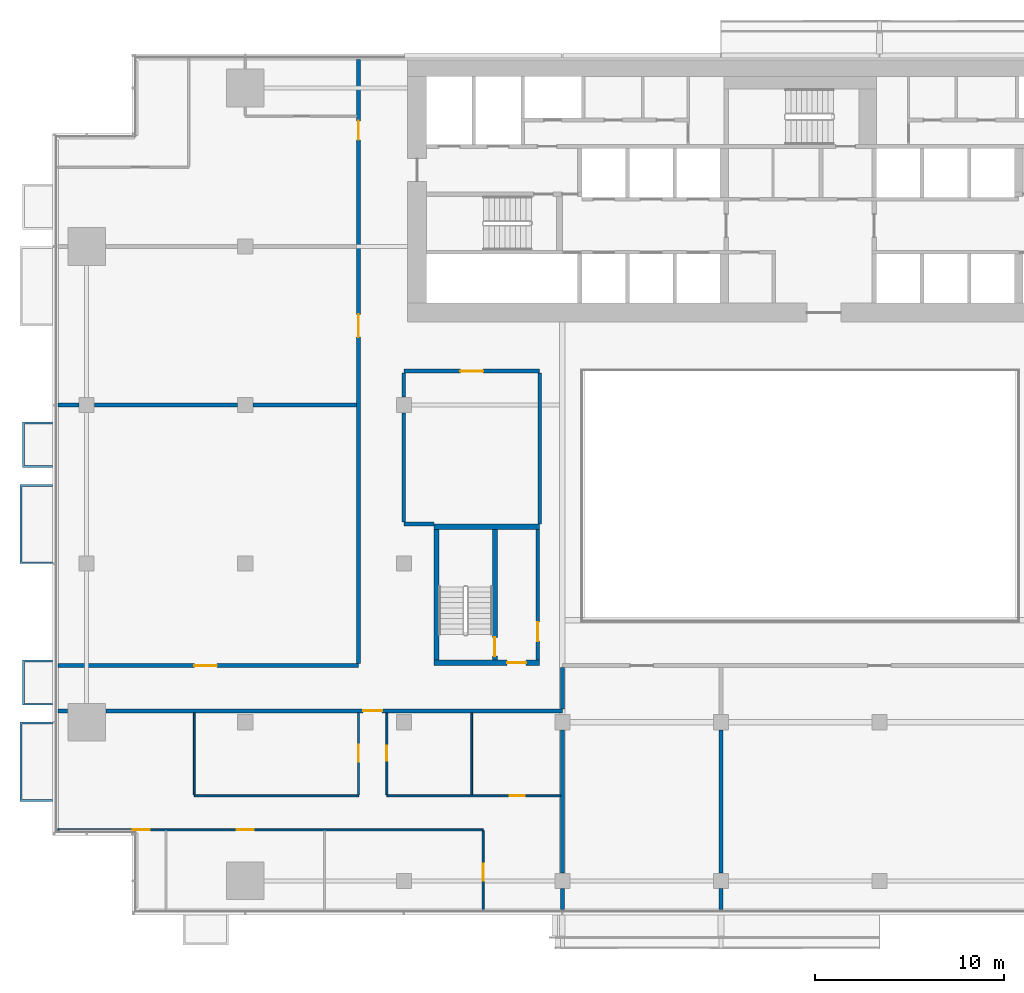
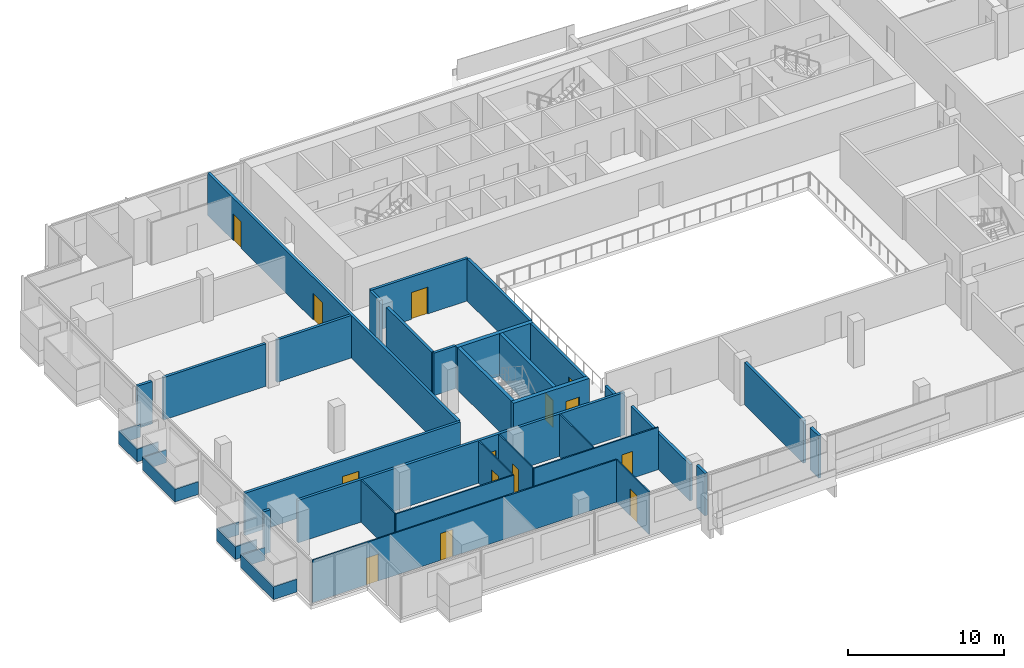
# One storey, part 18 of 26: 34 walls, 14 doors, 14 openings.
"""IFC4 building model written with IfcOpenShell, lengths in metres."""

from ifc_helpers import new_model, si_unit, direction, frame, frame_2d, origin, place, context, subcontext, project, spatial, polyline, rectangle, outline, extrude, material, layer, layer_set, type_object, element, fill, save


model = new_model("IFC4")

# Units and contexts
model_context = context("Model", 3, precision=1e-05, world=origin(), true_north=direction((0.0, 1.0)))
body_context = subcontext(model_context, "Body", "Model", "MODEL_VIEW")
ifc_project = project(units=[si_unit("LENGTHUNIT", "METRE"), si_unit("AREAUNIT", "SQUARE_METRE"), si_unit("VOLUMEUNIT", "CUBIC_METRE"), si_unit("PLANEANGLEUNIT", "RADIAN"), si_unit("MASSUNIT", "GRAM", prefix="KILO")], contexts=[model_context])

# Site, building, storey
site_placement = place(None, origin())
site = spatial("IfcSite", under=ifc_project, at=site_placement, CompositionType="ELEMENT")
building_placement = place(site_placement, origin())
building = spatial("IfcBuilding", under=site, at=building_placement, Name="Saffron Gate Tower", CompositionType="ELEMENT")
storey_placement = place(building_placement, frame((0.0, 0.0, 98.85009765625)))
storey = spatial("IfcBuildingStorey", under=building, at=storey_placement, Name="L22", CompositionType="ELEMENT", Elevation=98.85009765625)

# Wall, opening, door
ifc_material_1 = material(Name="Gypsum board partition on steel studs", Category="steel")
ifc_layer_1 = layer(ifc_material_1, 0.199951171875)
ifc_layer_set_1 = layer_set([ifc_layer_1], Name="CW10 Core partition 200")
wall_type_1 = type_object("IfcWallType", Name="CW10 Core partition 200", PredefinedType="PARTITIONING", material=ifc_layer_set_1)
wall_1_placement = place(storey_placement, frame((73.699951171875, 43.5, 0.0), z_axis=(0.0, 0.0, 1.0), x_axis=(0.0, 1.0, 0.0)))
wall_1 = element("IfcWall", 1, at=wall_1_placement, inside=storey, type_object=wall_type_1, Name="Wall CW10-L22-D-4", PredefinedType="PARTITIONING", context=body_context, shape_type="SweptSolid", body=[
    extrude(rectangle(XDim=6.89990234375, YDim=0.199951171875, at=frame_2d((3.449951171875, 0.0))), origin(), (0.0, 0.0, 1.0), 3.31982421875),
])
opening_1_placement = place(wall_1_placement, frame((1.0, 0.0, 0.0)))
opening_1 = element("IfcOpeningElement", 2, at=opening_1_placement, cuts=wall_1, Name="Opening CR-19", PredefinedType="OPENING", context=body_context, shape_type="SweptSolid", body=[
    extrude(rectangle(XDim=1.0, YDim=2.10009765625, at=frame_2d((0.5, 1.050048828125))), frame((0.0, 0.10986328125, 0.0), z_axis=(0.0, -1.0, 0.0), x_axis=(1.0, 0.0, 0.0)), (0.0, 0.0, 1.0), 0.219970703125),
])
ifc_material_2 = material(Name="Steel fire door set", Category="steel")
door_type_1 = type_object("IfcDoorType", Name="CD4 Lobby door 1000x2100 EI 120", OperationType="NOTDEFINED", PredefinedType="DOOR", material=ifc_material_2)
door_1_placement = place(opening_1_placement, origin())
door_1 = element("IfcDoor", 3, at=door_1_placement, inside=storey, type_object=door_type_1, Name="DOOR CR-19", OperationType="SINGLE_SWING_RIGHT", OverallHeight=2.10009765625, OverallWidth=1.0, PredefinedType="DOOR", context=body_context, shape_type="SweptSolid", body=[
    extrude(rectangle(XDim=1.0, YDim=2.10009765625, at=frame_2d((0.5, 1.050048828125))), frame((0.0, 0.02490234375, 0.0), z_axis=(0.0, -1.0, 0.0), x_axis=(1.0, 0.0, 0.0)), (0.0, 0.0, 1.0), 0.050048828125),
])
fill(opening_1, door_1)

# Wall
ifc_material_3 = material(Name="Concrete C70", Category="concrete")
ifc_layer_2 = layer(ifc_material_3, 0.25)
ifc_layer_set_2 = layer_set([ifc_layer_2], Name="CW2 RC core wall 250 C70")
wall_type_2 = type_object("IfcWallType", Name="CW2 RC core wall 250 C70", PredefinedType="SOLIDWALL", material=ifc_layer_set_2)
wall_2_placement = place(storey_placement, frame((68.324951171875, 43.5, 0.0), z_axis=(0.0, 0.0, 1.0), x_axis=(0.0, 1.0, 0.0)))
element("IfcWall", 4, at=wall_2_placement, inside=storey, type_object=wall_type_2, Name="Wall CW2-L22-D-2", PredefinedType="SOLIDWALL", context=body_context, shape_type="SweptSolid", body=[
    extrude(rectangle(XDim=6.89990234375, YDim=0.25, at=frame_2d((3.449951171875, 0.0))), origin(), (0.0, 0.0, 1.0), 3.31982421875),
])

# Wall, opening, door
wall_3_placement = place(storey_placement, frame((71.425048828125, 43.5, 0.0), z_axis=(0.0, 0.0, 1.0), x_axis=(0.0, 1.0, 0.0)))
wall_3 = element("IfcWall", 5, at=wall_3_placement, inside=storey, type_object=wall_type_2, Name="Wall CW2-L22-D-3", PredefinedType="SOLIDWALL", context=body_context, shape_type="SweptSolid", body=[
    extrude(rectangle(XDim=6.89990234375, YDim=0.25, at=frame_2d((3.449951171875, 0.0))), origin(), (0.0, 0.0, 1.0), 3.31982421875),
])
opening_2_placement = place(wall_3_placement, frame((0.199951171875, 0.0, 0.0)))
opening_2 = element("IfcOpeningElement", 6, at=opening_2_placement, cuts=wall_3, Name="Opening CR-20", PredefinedType="OPENING", context=body_context, shape_type="SweptSolid", body=[
    extrude(rectangle(XDim=1.0, YDim=2.10009765625, at=frame_2d((0.5, 1.050048828125))), frame((0.0, 0.135009765625, 0.0), z_axis=(0.0, -1.0, 0.0), x_axis=(1.0, 0.0, 0.0)), (0.0, 0.0, 1.0), 0.27001953125),
])
door_type_2 = type_object("IfcDoorType", Name="CD5 Stair door 1000x2100 EI 120", OperationType="NOTDEFINED", PredefinedType="DOOR", material=ifc_material_2)
door_2_placement = place(opening_2_placement, origin())
door_2 = element("IfcDoor", 7, at=door_2_placement, inside=storey, type_object=door_type_2, Name="DOOR CR-20", OperationType="SINGLE_SWING_LEFT", OverallHeight=2.10009765625, OverallWidth=1.0, PredefinedType="DOOR", context=body_context, shape_type="SweptSolid", body=[
    extrude(rectangle(XDim=1.0, YDim=2.10009765625, at=frame_2d((0.5, 1.050048828125))), frame((0.0, 0.02490234375, 0.0), z_axis=(0.0, -1.0, 0.0), x_axis=(1.0, 0.0, 0.0)), (0.0, 0.0, 1.0), 0.050048828125),
])
fill(opening_2, door_2)

ifc_layer_3 = layer(ifc_material_3, 0.300048828125)
ifc_layer_set_3 = layer_set([ifc_layer_3], Name="CW5 RC core wall 300 C70")
wall_type_3 = type_object("IfcWallType", Name="CW5 RC core wall 300 C70", PredefinedType="SOLIDWALL", material=ifc_layer_set_3)
wall_4_placement = place(storey_placement, frame((68.199951171875, 43.35009765625, 0.0), z_axis=(0.0, 0.0, 1.0), x_axis=(1.0, 0.0, 0.0)))
wall_4 = element("IfcWall", 8, at=wall_4_placement, inside=storey, type_object=wall_type_3, Name="Wall CW5-L22-D-1", PredefinedType="SOLIDWALL", context=body_context, shape_type="SweptSolid", body=[
    extrude(rectangle(XDim=5.60009765625, YDim=0.300048828125, at=frame_2d((2.800048828125, 0.0))), origin(), (0.0, 0.0, 1.0), 3.31982421875),
])
opening_3_placement = place(wall_4_placement, frame((3.875, 0.0, 0.0)))
opening_3 = element("IfcOpeningElement", 9, at=opening_3_placement, cuts=wall_4, Name="Opening CR-18", PredefinedType="OPENING", context=body_context, shape_type="SweptSolid", body=[
    extrude(rectangle(XDim=1.0, YDim=2.10009765625, at=frame_2d((0.5, 1.050048828125))), frame((0.0, 0.16015625, 0.0), z_axis=(0.0, -1.0, 0.0), x_axis=(1.0, 0.0, 0.0)), (0.0, 0.0, 1.0), 0.320068359375),
])
door_3_placement = place(opening_3_placement, origin())
door_3 = element("IfcDoor", 10, at=door_3_placement, inside=storey, type_object=door_type_1, Name="DOOR CR-18", OperationType="SINGLE_SWING_RIGHT", OverallHeight=2.10009765625, OverallWidth=1.0, PredefinedType="DOOR", context=body_context, shape_type="SweptSolid", body=[
    extrude(rectangle(XDim=1.0, YDim=2.10009765625, at=frame_2d((0.5, 1.050048828125))), frame((0.0, 0.02490234375, 0.0), z_axis=(0.0, -1.0, 0.0), x_axis=(1.0, 0.0, 0.0)), (0.0, 0.0, 1.0), 0.050048828125),
])
fill(opening_3, door_3)

# Wall
wall_5_placement = place(storey_placement, frame((68.199951171875, 50.550048828125, 0.0), z_axis=(0.0, 0.0, 1.0), x_axis=(1.0, 0.0, 0.0)))
element("IfcWall", 11, at=wall_5_placement, inside=storey, type_object=wall_type_3, Name="Wall CW5-L22-D-5", PredefinedType="SOLIDWALL", context=body_context, shape_type="SweptSolid", body=[
    extrude(rectangle(XDim=5.60009765625, YDim=0.300048828125, at=frame_2d((2.800048828125, 0.0))), origin(), (0.0, 0.0, 1.0), 3.31982421875),
])

# Wall, openings, doors
ifc_material_4 = material(Name="Plasterboard on steel studs", Category="steel")
ifc_layer_4 = layer(ifc_material_4, 0.10009765625)
ifc_layer_set_4 = layer_set([ifc_layer_4], Name="PW1 Partition 100")
wall_type_4 = type_object("IfcWallType", Name="PW1 Partition 100", PredefinedType="PARTITIONING", material=ifc_layer_set_4)
wall_6_placement = place(storey_placement, frame((70.800048828125, 34.5, 0.0), z_axis=(0.0, 0.0, 1.0), x_axis=(-1.0, 0.0, 0.0)))
wall_6 = element("IfcWall", 12, at=wall_6_placement, inside=storey, type_object=wall_type_4, Name="Partition B1-1", PredefinedType="PARTITIONING", context=body_context, shape_type="SweptSolid", body=[
    extrude(rectangle(XDim=22.52001953125, YDim=0.10009765625, at=frame_2d((11.260009765625, 0.0))), origin(), (0.0, 0.0, 1.0), 3.31982421875),
])
opening_4_placement = place(wall_6_placement, frame((12.14990234375, 0.0, 0.0)))
opening_4 = element("IfcOpeningElement", 13, at=opening_4_placement, cuts=wall_6, Name="Opening B1-6", PredefinedType="OPENING", context=body_context, shape_type="SweptSolid", body=[
    extrude(rectangle(XDim=0.89990234375, YDim=2.10009765625, at=frame_2d((0.449951171875, 1.050048828125))), frame((0.0, 0.06005859375, 0.0), z_axis=(0.0, -1.0, 0.0), x_axis=(1.0, 0.0, 0.0)), (0.0, 0.0, 1.0), 0.1201171875),
])
opening_5_placement = place(wall_6_placement, frame((17.65380859375, 0.0, 0.0)))
opening_5 = element("IfcOpeningElement", 14, at=opening_5_placement, cuts=wall_6, Name="Opening B1-5", PredefinedType="OPENING", context=body_context, shape_type="SweptSolid", body=[
    extrude(rectangle(XDim=0.89990234375, YDim=2.10009765625, at=frame_2d((0.449951171875, 1.050048828125))), frame((0.0, 0.06005859375, 0.0), z_axis=(0.0, -1.0, 0.0), x_axis=(1.0, 0.0, 0.0)), (0.0, 0.0, 1.0), 0.1201171875),
])
ifc_material_5 = material(Name="Timber door set", Category="wood")
door_type_3 = type_object("IfcDoorType", Name="RD1 Room door 900x2100", OperationType="NOTDEFINED", PredefinedType="DOOR", material=ifc_material_5)
door_4_placement = place(opening_4_placement, origin())
door_4 = element("IfcDoor", 15, at=door_4_placement, inside=storey, type_object=door_type_3, Name="Door B1-6", OperationType="SINGLE_SWING_RIGHT", OverallHeight=2.10009765625, OverallWidth=0.89990234375, PredefinedType="DOOR", context=body_context, shape_type="SweptSolid", body=[
    extrude(rectangle(XDim=0.89990234375, YDim=2.10009765625, at=frame_2d((0.449951171875, 1.050048828125))), frame((0.0, 0.02490234375, 0.0), z_axis=(0.0, -1.0, 0.0), x_axis=(1.0, 0.0, 0.0)), (0.0, 0.0, 1.0), 0.050048828125),
])
fill(opening_4, door_4)
door_5_placement = place(opening_5_placement, origin())
door_5 = element("IfcDoor", 16, at=door_5_placement, inside=storey, type_object=door_type_3, Name="Door B1-5", OperationType="SINGLE_SWING_LEFT", OverallHeight=2.10009765625, OverallWidth=0.89990234375, PredefinedType="DOOR", context=body_context, shape_type="SweptSolid", body=[
    extrude(rectangle(XDim=0.89990234375, YDim=2.10009765625, at=frame_2d((0.449951171875, 1.050048828125))), frame((0.0, 0.02490234375, 0.0), z_axis=(0.0, -1.0, 0.0), x_axis=(1.0, 0.0, 0.0)), (0.0, 0.0, 1.0), 0.050048828125),
])
fill(opening_5, door_5)

# Wall
wall_7_placement = place(storey_placement, frame((55.5, 36.300048828125, 0.0), z_axis=(0.0, 0.0, 1.0), x_axis=(1.0, 0.0, 0.0)))
element("IfcWall", 17, at=wall_7_placement, inside=storey, type_object=wall_type_4, Name="Partition B1-4", PredefinedType="PARTITIONING", context=body_context, shape_type="SweptSolid", body=[
    extrude(rectangle(XDim=8.699951171875, YDim=0.10009765625, at=frame_2d((4.35009765625, 0.0))), origin(), (0.0, 0.0, 1.0), 3.31982421875),
])

# Wall, opening, door
wall_8_placement = place(storey_placement, frame((65.699951171875, 36.300048828125, 0.0), z_axis=(0.0, 0.0, 1.0), x_axis=(1.0, 0.0, 0.0)))
wall_8 = element("IfcWall", 18, at=wall_8_placement, inside=storey, type_object=wall_type_4, Name="Partition B1-5", PredefinedType="PARTITIONING", context=body_context, shape_type="SweptSolid", body=[
    extrude(rectangle(XDim=9.199951171875, YDim=0.10009765625, at=frame_2d((4.60009765625, 0.0))), origin(), (0.0, 0.0, 1.0), 3.31982421875),
])
opening_6_placement = place(wall_8_placement, frame((6.5, 0.0, 0.0)))
opening_6 = element("IfcOpeningElement", 19, at=opening_6_placement, cuts=wall_8, Name="Opening B1-17", PredefinedType="OPENING", context=body_context, shape_type="SweptSolid", body=[
    extrude(rectangle(XDim=0.800048828125, YDim=2.10009765625, at=frame_2d((0.39990234375, 1.050048828125))), frame((0.0, 0.06005859375, 0.0), z_axis=(0.0, -1.0, 0.0), x_axis=(1.0, 0.0, 0.0)), (0.0, 0.0, 1.0), 0.1201171875),
])
door_type_4 = type_object("IfcDoorType", Name="RD2 Bathroom door 800x2100", OperationType="NOTDEFINED", PredefinedType="DOOR", material=ifc_material_5)
door_6_placement = place(opening_6_placement, origin())
door_6 = element("IfcDoor", 20, at=door_6_placement, inside=storey, type_object=door_type_4, Name="Door B1-17", OperationType="SINGLE_SWING_RIGHT", OverallHeight=2.10009765625, OverallWidth=0.800048828125, PredefinedType="DOOR", context=body_context, shape_type="SweptSolid", body=[
    extrude(rectangle(XDim=0.800048828125, YDim=2.10009765625, at=frame_2d((0.39990234375, 1.050048828125))), frame((0.0, 0.02490234375, 0.0), z_axis=(0.0, -1.0, 0.0), x_axis=(1.0, 0.0, 0.0)), (0.0, 0.0, 1.0), 0.050048828125),
])
fill(opening_6, door_6)

# Wall
wall_9_placement = place(storey_placement, frame((55.5, 40.699951171875, 0.0), z_axis=(0.0, 0.0, 1.0), x_axis=(0.0, -1.0, 0.0)))
element("IfcWall", 21, at=wall_9_placement, inside=storey, type_object=wall_type_4, Name="Partition B1-38", PredefinedType="PARTITIONING", context=body_context, shape_type="SweptSolid", body=[
    extrude(rectangle(XDim=4.349853515625, YDim=0.10009765625, at=frame_2d((2.1748046875, 0.0))), origin(), (0.0, 0.0, 1.0), 3.31982421875),
])

# Wall, opening, door
wall_10_placement = place(storey_placement, frame((64.199951171875, 36.35009765625, 0.0), z_axis=(0.0, 0.0, 1.0), x_axis=(0.0, 1.0, 0.0)))
wall_10 = element("IfcWall", 22, at=wall_10_placement, inside=storey, type_object=wall_type_4, Name="Partition B1-43", PredefinedType="PARTITIONING", context=body_context, shape_type="SweptSolid", body=[
    extrude(rectangle(XDim=4.349853515625, YDim=0.10009765625, at=frame_2d((2.1748046875, 0.0))), origin(), (0.0, 0.0, 1.0), 3.31982421875),
])
opening_7_placement = place(wall_10_placement, frame((1.75, 0.0, 0.0)))
opening_7 = element("IfcOpeningElement", 23, at=opening_7_placement, cuts=wall_10, Name="Opening B1-8", PredefinedType="OPENING", context=body_context, shape_type="SweptSolid", body=[
    extrude(rectangle(XDim=0.89990234375, YDim=2.10009765625, at=frame_2d((0.449951171875, 1.050048828125))), frame((0.0, 0.06005859375, 0.0), z_axis=(0.0, -1.0, 0.0), x_axis=(1.0, 0.0, 0.0)), (0.0, 0.0, 1.0), 0.1201171875),
])
door_7_placement = place(opening_7_placement, origin())
door_7 = element("IfcDoor", 24, at=door_7_placement, inside=storey, type_object=door_type_3, Name="Door B1-8", OperationType="SINGLE_SWING_RIGHT", OverallHeight=2.10009765625, OverallWidth=0.89990234375, PredefinedType="DOOR", context=body_context, shape_type="SweptSolid", body=[
    extrude(rectangle(XDim=0.89990234375, YDim=2.10009765625, at=frame_2d((0.449951171875, 1.050048828125))), frame((0.0, 0.02490234375, 0.0), z_axis=(0.0, -1.0, 0.0), x_axis=(1.0, 0.0, 0.0)), (0.0, 0.0, 1.0), 0.050048828125),
])
fill(opening_7, door_7)

wall_11_placement = place(storey_placement, frame((65.699951171875, 40.699951171875, 0.0), z_axis=(0.0, 0.0, 1.0), x_axis=(0.0, -1.0, 0.0)))
wall_11 = element("IfcWall", 25, at=wall_11_placement, inside=storey, type_object=wall_type_4, Name="Partition B1-44", PredefinedType="PARTITIONING", context=body_context, shape_type="SweptSolid", body=[
    extrude(rectangle(XDim=4.349853515625, YDim=0.10009765625, at=frame_2d((2.1748046875, 0.0))), origin(), (0.0, 0.0, 1.0), 3.31982421875),
])
opening_8_placement = place(wall_11_placement, frame((1.75, 0.0, 0.0)))
opening_8 = element("IfcOpeningElement", 26, at=opening_8_placement, cuts=wall_11, Name="Opening B1-16", PredefinedType="OPENING", context=body_context, shape_type="SweptSolid", body=[
    extrude(rectangle(XDim=0.800048828125, YDim=2.10009765625, at=frame_2d((0.39990234375, 1.050048828125))), frame((0.0, 0.06005859375, 0.0), z_axis=(0.0, -1.0, 0.0), x_axis=(1.0, 0.0, 0.0)), (0.0, 0.0, 1.0), 0.1201171875),
])
door_8_placement = place(opening_8_placement, origin())
door_8 = element("IfcDoor", 27, at=door_8_placement, inside=storey, type_object=door_type_4, Name="Door B1-16", OperationType="SINGLE_SWING_LEFT", OverallHeight=2.10009765625, OverallWidth=0.800048828125, PredefinedType="DOOR", context=body_context, shape_type="SweptSolid", body=[
    extrude(rectangle(XDim=0.800048828125, YDim=2.10009765625, at=frame_2d((0.39990234375, 1.050048828125))), frame((0.0, 0.02490234375, 0.0), z_axis=(0.0, -1.0, 0.0), x_axis=(1.0, 0.0, 0.0)), (0.0, 0.0, 1.0), 0.050048828125),
])
fill(opening_8, door_8)

# Wall
wall_12_placement = place(storey_placement, frame((70.199951171875, 40.699951171875, 0.0), z_axis=(0.0, 0.0, 1.0), x_axis=(0.0, -1.0, 0.0)))
element("IfcWall", 28, at=wall_12_placement, inside=storey, type_object=wall_type_4, Name="Partition B1-47", PredefinedType="PARTITIONING", context=body_context, shape_type="SweptSolid", body=[
    extrude(rectangle(XDim=4.349853515625, YDim=0.10009765625, at=frame_2d((2.1748046875, 0.0))), origin(), (0.0, 0.0, 1.0), 3.31982421875),
])

# Wall, opening, door
wall_13_placement = place(storey_placement, frame((70.800048828125, 30.280029296875, 0.0), z_axis=(0.0, 0.0, 1.0), x_axis=(0.0, 1.0, 0.0)))
wall_13 = element("IfcWall", 29, at=wall_13_placement, inside=storey, type_object=wall_type_4, Name="Partition B1-48", PredefinedType="PARTITIONING", context=body_context, shape_type="SweptSolid", body=[
    extrude(rectangle(XDim=4.169921875, YDim=0.10009765625, at=frame_2d((2.0849609375, 0.0))), origin(), (0.0, 0.0, 1.0), 3.31982421875),
])
opening_9_placement = place(wall_13_placement, frame((1.52001953125, 0.0, 0.0)))
opening_9 = element("IfcOpeningElement", 30, at=opening_9_placement, cuts=wall_13, Name="Opening B1-7", PredefinedType="OPENING", context=body_context, shape_type="SweptSolid", body=[
    extrude(rectangle(XDim=0.89990234375, YDim=2.10009765625, at=frame_2d((0.449951171875, 1.050048828125))), frame((0.0, 0.06005859375, 0.0), z_axis=(0.0, -1.0, 0.0), x_axis=(1.0, 0.0, 0.0)), (0.0, 0.0, 1.0), 0.1201171875),
])
door_9_placement = place(opening_9_placement, origin())
door_9 = element("IfcDoor", 31, at=door_9_placement, inside=storey, type_object=door_type_3, Name="Door B1-7", OperationType="SINGLE_SWING_LEFT", OverallHeight=2.10009765625, OverallWidth=0.89990234375, PredefinedType="DOOR", context=body_context, shape_type="SweptSolid", body=[
    extrude(rectangle(XDim=0.89990234375, YDim=2.10009765625, at=frame_2d((0.449951171875, 1.050048828125))), frame((0.0, 0.02490234375, 0.0), z_axis=(0.0, -1.0, 0.0), x_axis=(1.0, 0.0, 0.0)), (0.0, 0.0, 1.0), 0.050048828125),
])
fill(opening_9, door_9)

# Wall
ifc_material_6 = material(Name="Clay brick masonry, rendered", Category="masonry")
ifc_layer_5 = layer(ifc_material_6, 0.199951171875)
ifc_layer_set_5 = layer_set([ifc_layer_5], Name="PW3 Corridor wall 200")
wall_type_5 = type_object("IfcWallType", Name="PW3 Corridor wall 200", PredefinedType="PARTITIONING", material=ifc_layer_set_5)
wall_14_placement = place(storey_placement, frame((48.280029296875, 40.800048828125, 0.0), z_axis=(0.0, 0.0, 1.0), x_axis=(1.0, 0.0, 0.0)))
element("IfcWall", 32, at=wall_14_placement, inside=storey, type_object=wall_type_5, Name="Wall B1-8", PredefinedType="PARTITIONING", context=body_context, shape_type="SweptSolid", body=[
    extrude(rectangle(XDim=0.5, YDim=0.199951171875, at=frame_2d((0.25, 0.0))), origin(), (0.0, 0.0, 1.0), 3.31982421875),
])

# Wall, opening, door
wall_15_placement = place(storey_placement, frame((75.0, 40.800048828125, 0.0), z_axis=(0.0, 0.0, 1.0), x_axis=(-1.0, 0.0, 0.0)))
wall_15 = element("IfcWall", 33, at=wall_15_placement, inside=storey, type_object=wall_type_5, Name="Wall B1-9", PredefinedType="PARTITIONING", context=body_context, shape_type="SweptSolid", body=[
    extrude(rectangle(XDim=24.179931640625, YDim=0.199951171875, at=frame_2d((12.08984375, 0.0))), origin(), (0.0, 0.0, 1.0), 3.31982421875),
])
opening_10_placement = place(wall_15_placement, frame((9.550048828125, 0.0, 0.0)))
opening_10 = element("IfcOpeningElement", 34, at=opening_10_placement, cuts=wall_15, Name="Opening B1-1", PredefinedType="OPENING", context=body_context, shape_type="SweptSolid", body=[
    extrude(rectangle(XDim=1.0, YDim=2.10009765625, at=frame_2d((0.5, 1.050048828125))), frame((0.0, 0.10986328125, 0.0), z_axis=(0.0, -1.0, 0.0), x_axis=(1.0, 0.0, 0.0)), (0.0, 0.0, 1.0), 0.219970703125),
])
ifc_material_7 = material(Name="Timber fire door set", Category="wood")
door_type_5 = type_object("IfcDoorType", Name="FD1 Flat entry door 1000x2100", OperationType="NOTDEFINED", PredefinedType="DOOR", material=ifc_material_7)
door_10_placement = place(opening_10_placement, origin())
door_10 = element("IfcDoor", 35, at=door_10_placement, inside=storey, type_object=door_type_5, Name="Door B1-1", OperationType="SINGLE_SWING_LEFT", OverallHeight=2.10009765625, OverallWidth=1.0, PredefinedType="DOOR", context=body_context, shape_type="SweptSolid", body=[
    extrude(rectangle(XDim=1.0, YDim=2.10009765625, at=frame_2d((0.5, 1.050048828125))), frame((0.0, 0.02490234375, 0.0), z_axis=(0.0, -1.0, 0.0), x_axis=(1.0, 0.0, 0.0)), (0.0, 0.0, 1.0), 0.050048828125),
])
fill(opening_10, door_10)

wall_16_placement = place(storey_placement, frame((48.280029296875, 43.199951171875, 0.0), z_axis=(0.0, 0.0, 1.0), x_axis=(1.0, 0.0, 0.0)))
wall_16 = element("IfcWall", 36, at=wall_16_placement, inside=storey, type_object=wall_type_5, Name="Wall B1-12", PredefinedType="PARTITIONING", context=body_context, shape_type="SweptSolid", body=[
    extrude(rectangle(XDim=15.919921875, YDim=0.199951171875, at=frame_2d((7.9599609375, 0.0))), origin(), (0.0, 0.0, 1.0), 3.31982421875),
])
opening_11_placement = place(wall_16_placement, frame((7.219970703125, 0.0, 0.0)))
opening_11 = element("IfcOpeningElement", 37, at=opening_11_placement, cuts=wall_16, Name="Opening B1-27", PredefinedType="OPENING", context=body_context, shape_type="SweptSolid", body=[
    extrude(rectangle(XDim=1.199951171875, YDim=2.10009765625, at=frame_2d((0.60009765625, 1.050048828125))), frame((0.0, 0.10986328125, 0.0), z_axis=(0.0, -1.0, 0.0), x_axis=(1.0, 0.0, 0.0)), (0.0, 0.0, 1.0), 0.219970703125),
])
door_type_6 = type_object("IfcDoorType", Name="HD1 Hall door 1200x2100", OperationType="NOTDEFINED", PredefinedType="DOOR", material=ifc_material_5)
door_11_placement = place(opening_11_placement, origin())
door_11 = element("IfcDoor", 38, at=door_11_placement, inside=storey, type_object=door_type_6, Name="Door B1-27", OperationType="SINGLE_SWING_LEFT", OverallHeight=2.10009765625, OverallWidth=1.199951171875, PredefinedType="DOOR", context=body_context, shape_type="SweptSolid", body=[
    extrude(rectangle(XDim=1.199951171875, YDim=2.10009765625, at=frame_2d((0.60009765625, 1.050048828125))), frame((0.0, 0.02490234375, 0.0), z_axis=(0.0, -1.0, 0.0), x_axis=(1.0, 0.0, 0.0)), (0.0, 0.0, 1.0), 0.050048828125),
])
fill(opening_11, door_11)

# Wall
wall_17_placement = place(storey_placement, frame((66.60009765625, 50.699951171875, 0.0), z_axis=(0.0, 0.0, 1.0), x_axis=(1.0, 0.0, 0.0)))
element("IfcWall", 39, at=wall_17_placement, inside=storey, type_object=wall_type_5, Name="Wall B1-15", PredefinedType="PARTITIONING", context=body_context, shape_type="SweptSolid", body=[
    extrude(rectangle(XDim=1.599853515625, YDim=0.199951171875, at=frame_2d((0.7998046875, 0.0))), origin(), (0.0, 0.0, 1.0), 3.31982421875),
])

# Wall, opening, door
wall_18_placement = place(storey_placement, frame((73.800048828125, 58.800048828125, 0.0), z_axis=(0.0, 0.0, 1.0), x_axis=(-1.0, 0.0, 0.0)))
wall_18 = element("IfcWall", 40, at=wall_18_placement, inside=storey, type_object=wall_type_5, Name="Wall B1-24", PredefinedType="PARTITIONING", context=body_context, shape_type="SweptSolid", body=[
    extrude(rectangle(XDim=7.199951171875, YDim=0.199951171875, at=frame_2d((3.60009765625, 0.0))), origin(), (0.0, 0.0, 1.0), 3.31982421875),
])
opening_12_placement = place(wall_18_placement, frame((3.0, 0.0, 0.0)))
opening_12 = element("IfcOpeningElement", 41, at=opening_12_placement, cuts=wall_18, Name="Opening B1-29", PredefinedType="OPENING", context=body_context, shape_type="SweptSolid", body=[
    extrude(rectangle(XDim=1.199951171875, YDim=2.10009765625, at=frame_2d((0.60009765625, 1.050048828125))), frame((0.0, 0.10986328125, 0.0), z_axis=(0.0, -1.0, 0.0), x_axis=(1.0, 0.0, 0.0)), (0.0, 0.0, 1.0), 0.219970703125),
])
door_12_placement = place(opening_12_placement, origin())
door_12 = element("IfcDoor", 42, at=door_12_placement, inside=storey, type_object=door_type_6, Name="Door B1-29", OperationType="SINGLE_SWING_LEFT", OverallHeight=2.10009765625, OverallWidth=1.199951171875, PredefinedType="DOOR", context=body_context, shape_type="SweptSolid", body=[
    extrude(rectangle(XDim=1.199951171875, YDim=2.10009765625, at=frame_2d((0.60009765625, 1.050048828125))), frame((0.0, 0.02490234375, 0.0), z_axis=(0.0, -1.0, 0.0), x_axis=(1.0, 0.0, 0.0)), (0.0, 0.0, 1.0), 0.050048828125),
])
fill(opening_12, door_12)

# Wall, openings, doors
wall_19_placement = place(storey_placement, frame((64.199951171875, 43.300048828125, 0.0), z_axis=(0.0, 0.0, 1.0), x_axis=(0.0, 1.0, 0.0)))
wall_19 = element("IfcWall", 43, at=wall_19_placement, inside=storey, type_object=wall_type_5, Name="Wall B1-42", PredefinedType="PARTITIONING", context=body_context, shape_type="SweptSolid", body=[
    extrude(rectangle(XDim=32.02001953125, YDim=0.199951171875, at=frame_2d((16.010009765625, 0.0))), origin(), (0.0, 0.0, 1.0), 3.31982421875),
])
opening_13_placement = place(wall_19_placement, frame((17.300048828125, 0.0, 0.0)))
opening_13 = element("IfcOpeningElement", 44, at=opening_13_placement, cuts=wall_19, Name="Opening B1-28", PredefinedType="OPENING", context=body_context, shape_type="SweptSolid", body=[
    extrude(rectangle(XDim=1.199951171875, YDim=2.10009765625, at=frame_2d((0.60009765625, 1.050048828125))), frame((0.0, 0.10986328125, 0.0), z_axis=(0.0, -1.0, 0.0), x_axis=(1.0, 0.0, 0.0)), (0.0, 0.0, 1.0), 0.219970703125),
])
opening_14_placement = place(wall_19_placement, frame((27.75, 0.0, 0.0)))
opening_14 = element("IfcOpeningElement", 45, at=opening_14_placement, cuts=wall_19, Name="Opening B1-3", PredefinedType="OPENING", context=body_context, shape_type="SweptSolid", body=[
    extrude(rectangle(XDim=1.0, YDim=2.10009765625, at=frame_2d((0.5, 1.050048828125))), frame((0.0, 0.10986328125, 0.0), z_axis=(0.0, -1.0, 0.0), x_axis=(1.0, 0.0, 0.0)), (0.0, 0.0, 1.0), 0.219970703125),
])
door_13_placement = place(opening_14_placement, origin())
door_13 = element("IfcDoor", 46, at=door_13_placement, inside=storey, type_object=door_type_5, Name="Door B1-3", OperationType="SINGLE_SWING_LEFT", OverallHeight=2.10009765625, OverallWidth=1.0, PredefinedType="DOOR", context=body_context, shape_type="SweptSolid", body=[
    extrude(rectangle(XDim=1.0, YDim=2.10009765625, at=frame_2d((0.5, 1.050048828125))), frame((0.0, 0.02490234375, 0.0), z_axis=(0.0, -1.0, 0.0), x_axis=(1.0, 0.0, 0.0)), (0.0, 0.0, 1.0), 0.050048828125),
])
fill(opening_14, door_13)
door_14_placement = place(opening_13_placement, origin())
door_14 = element("IfcDoor", 47, at=door_14_placement, inside=storey, type_object=door_type_6, Name="Door B1-28", OperationType="SINGLE_SWING_RIGHT", OverallHeight=2.10009765625, OverallWidth=1.199951171875, PredefinedType="DOOR", context=body_context, shape_type="SweptSolid", body=[
    extrude(rectangle(XDim=1.199951171875, YDim=2.10009765625, at=frame_2d((0.60009765625, 1.050048828125))), frame((0.0, 0.02490234375, 0.0), z_axis=(0.0, -1.0, 0.0), x_axis=(1.0, 0.0, 0.0)), (0.0, 0.0, 1.0), 0.050048828125),
])
fill(opening_13, door_14)

# Walls
wall_20_placement = place(storey_placement, frame((66.60009765625, 56.580078125, 0.0), z_axis=(0.0, 0.0, 1.0), x_axis=(0.0, -1.0, 0.0)))
element("IfcWall", 48, at=wall_20_placement, inside=storey, type_object=wall_type_5, Name="Wall B1-45", PredefinedType="PARTITIONING", context=body_context, shape_type="SweptSolid", body=[
    extrude(rectangle(XDim=5.780029296875, YDim=0.199951171875, at=frame_2d((2.89013671875, 0.0))), origin(), (0.0, 0.0, 1.0), 3.31982421875),
])
wall_21_placement = place(storey_placement, frame((66.60009765625, 58.699951171875, 0.0), z_axis=(0.0, 0.0, 1.0), x_axis=(0.0, -1.0, 0.0)))
element("IfcWall", 49, at=wall_21_placement, inside=storey, type_object=wall_type_5, Name="Wall B1-46", PredefinedType="PARTITIONING", context=body_context, shape_type="SweptSolid", body=[
    extrude(rectangle(XDim=1.280029296875, YDim=0.199951171875, at=frame_2d((0.64013671875, 0.0))), origin(), (0.0, 0.0, 1.0), 3.31982421875),
])
wall_22_placement = place(storey_placement, frame((73.800048828125, 58.699951171875, 0.0), z_axis=(0.0, 0.0, 1.0), x_axis=(0.0, -1.0, 0.0)))
element("IfcWall", 50, at=wall_22_placement, inside=storey, type_object=wall_type_5, Name="Wall B1-49", PredefinedType="PARTITIONING", context=body_context, shape_type="SweptSolid", body=[
    extrude(rectangle(XDim=8.0, YDim=0.199951171875, at=frame_2d((4.0, 0.0))), origin(), (0.0, 0.0, 1.0), 3.31982421875),
])
wall_23_placement = place(storey_placement, frame((75.0, 43.10009765625, 0.0), z_axis=(0.0, 0.0, 1.0), x_axis=(0.0, -1.0, 0.0)))
element("IfcWall", 51, at=wall_23_placement, inside=storey, type_object=wall_type_5, Name="Wall B1-50", PredefinedType="PARTITIONING", context=body_context, shape_type="SweptSolid", body=[
    extrude(rectangle(XDim=2.2001953125, YDim=0.199951171875, at=frame_2d((1.10009765625, 0.0))), origin(), (0.0, 0.0, 1.0), 2.429931640625),
])
ifc_layer_6 = layer(ifc_material_6, 0.199951171875)
ifc_layer_set_6 = layer_set([ifc_layer_6], Name="PW5 Room wall 200")
wall_type_6 = type_object("IfcWallType", Name="PW5 Room wall 200", PredefinedType="PARTITIONING", material=ifc_layer_set_6)
wall_24_placement = place(storey_placement, frame((48.280029296875, 57.0, 0.0), z_axis=(0.0, 0.0, 1.0), x_axis=(1.0, 0.0, 0.0)))
element("IfcWall", 52, at=wall_24_placement, inside=storey, type_object=wall_type_6, Name="Wall B1-18", PredefinedType="PARTITIONING", context=body_context, shape_type="SweptSolid", body=[
    extrude(rectangle(XDim=1.099853515625, YDim=0.199951171875, at=frame_2d((0.5498046875, 0.0))), origin(), (0.0, 0.0, 1.0), 3.31982421875),
])
wall_25_placement = place(storey_placement, frame((50.219970703125, 57.0, 0.0), z_axis=(0.0, 0.0, 1.0), x_axis=(1.0, 0.0, 0.0)))
element("IfcWall", 53, at=wall_25_placement, inside=storey, type_object=wall_type_6, Name="Wall B1-19", PredefinedType="PARTITIONING", context=body_context, shape_type="SweptSolid", body=[
    extrude(rectangle(XDim=7.56005859375, YDim=0.199951171875, at=frame_2d((3.780029296875, 0.0))), origin(), (0.0, 0.0, 1.0), 3.31982421875),
])
wall_26_placement = place(storey_placement, frame((58.6201171875, 57.0, 0.0), z_axis=(0.0, 0.0, 1.0), x_axis=(1.0, 0.0, 0.0)))
element("IfcWall", 54, at=wall_26_placement, inside=storey, type_object=wall_type_6, Name="Wall B1-20", PredefinedType="PARTITIONING", context=body_context, shape_type="SweptSolid", body=[
    extrude(rectangle(XDim=5.47998046875, YDim=0.199951171875, at=frame_2d((2.739990234375, 0.0))), origin(), (0.0, 0.0, 1.0), 3.31982421875),
])
wall_27_placement = place(storey_placement, frame((75.0, 31.3798828125, 0.0), z_axis=(0.0, 0.0, 1.0), x_axis=(0.0, -1.0, 0.0)))
element("IfcWall", 55, at=wall_27_placement, inside=storey, type_object=wall_type_6, Name="Wall B1-51", PredefinedType="PARTITIONING", context=body_context, shape_type="SweptSolid", body=[
    extrude(rectangle(XDim=1.099853515625, YDim=0.199951171875, at=frame_2d((0.5498046875, 0.0))), origin(), (0.0, 0.0, 1.0), 3.31982421875),
])
wall_28_placement = place(storey_placement, frame((75.0, 39.780029296875, 0.0), z_axis=(0.0, 0.0, 1.0), x_axis=(0.0, -1.0, 0.0)))
element("IfcWall", 56, at=wall_28_placement, inside=storey, type_object=wall_type_6, Name="Wall B1-52", PredefinedType="PARTITIONING", context=body_context, shape_type="SweptSolid", body=[
    extrude(rectangle(XDim=7.56005859375, YDim=0.199951171875, at=frame_2d((3.780029296875, 0.0))), origin(), (0.0, 0.0, 1.0), 2.829833984375),
])
wall_29_placement = place(storey_placement, frame((83.39990234375, 31.3798828125, 0.0), z_axis=(0.0, 0.0, 1.0), x_axis=(0.0, -1.0, 0.0)))
element("IfcWall", 57, at=wall_29_placement, inside=storey, type_object=wall_type_6, Name="Wall B1-53", PredefinedType="PARTITIONING", context=body_context, shape_type="SweptSolid", body=[
    extrude(rectangle(XDim=1.099853515625, YDim=0.199951171875, at=frame_2d((0.5498046875, 0.0))), origin(), (0.0, 0.0, 1.0), 3.31982421875),
])
wall_30_placement = place(storey_placement, frame((83.39990234375, 39.780029296875, 0.0), z_axis=(0.0, 0.0, 1.0), x_axis=(0.0, -1.0, 0.0)))
element("IfcWall", 58, at=wall_30_placement, inside=storey, type_object=wall_type_6, Name="Wall B1-54", PredefinedType="PARTITIONING", context=body_context, shape_type="SweptSolid", body=[
    extrude(rectangle(XDim=7.56005859375, YDim=0.199951171875, at=frame_2d((3.780029296875, 0.0))), origin(), (0.0, 0.0, 1.0), 3.31982421875),
])
ifc_material_8 = material(Name="Rendered insulated panel, white")
ifc_layer_7 = layer(ifc_material_8, 0.10009765625)
ifc_layer_set_7 = layer_set([ifc_layer_7], Name="WB3 box parapet white")
wall_type_7 = type_object("IfcWallType", Name="WB3 box parapet white", PredefinedType="SOLIDWALL", material=ifc_layer_set_7)
wall_31_placement = place(storey_placement, origin())
element("IfcWall", 59, at=wall_31_placement, inside=storey, type_object=wall_type_7, Name="WINDOW BOX parapet", PredefinedType="SOLIDWALL", context=body_context, shape_type="SweptSolid", body=[
    extrude(outline(polyline([(48.0, 56.10009765625), (48.0, 56.0), (46.5, 56.0), (46.5, 53.800048828125), (48.0, 53.800048828125), (48.0, 53.699951171875), (46.39990234375, 53.699951171875), (46.39990234375, 56.10009765625), (48.0, 56.10009765625)])), origin(), (0.0, 0.0, 1.0), 1.0),
])
wall_32_placement = place(storey_placement, origin())
element("IfcWall", 60, at=wall_32_placement, inside=storey, type_object=wall_type_7, Name="WINDOW BOX parapet", PredefinedType="SOLIDWALL", context=body_context, shape_type="SweptSolid", body=[
    extrude(outline(polyline([(48.0, 52.800048828125), (48.0, 52.699951171875), (46.366943359375, 52.699951171875), (46.366943359375, 48.699951171875), (48.0, 48.699951171875), (48.0, 48.60009765625), (46.26708984375, 48.60009765625), (46.26708984375, 52.800048828125), (48.0, 52.800048828125)])), origin(), (0.0, 0.0, 1.0), 1.0),
])
wall_33_placement = place(storey_placement, origin())
element("IfcWall", 61, at=wall_33_placement, inside=storey, type_object=wall_type_7, Name="WINDOW BOX parapet", PredefinedType="SOLIDWALL", context=body_context, shape_type="SweptSolid", body=[
    extrude(outline(polyline([(48.0, 43.5), (48.0, 43.39990234375), (46.5, 43.39990234375), (46.5, 41.199951171875), (48.0, 41.199951171875), (48.0, 41.10009765625), (46.39990234375, 41.10009765625), (46.39990234375, 43.5), (48.0, 43.5)])), origin(), (0.0, 0.0, 1.0), 1.0),
])
wall_34_placement = place(storey_placement, origin())
element("IfcWall", 62, at=wall_34_placement, inside=storey, type_object=wall_type_7, Name="WINDOW BOX parapet", PredefinedType="SOLIDWALL", context=body_context, shape_type="SweptSolid", body=[
    extrude(outline(polyline([(48.0, 40.199951171875), (48.0, 40.10009765625), (46.366943359375, 40.10009765625), (46.366943359375, 36.10009765625), (48.0, 36.10009765625), (48.0, 36.0), (46.26708984375, 36.0), (46.26708984375, 40.199951171875), (48.0, 40.199951171875)])), origin(), (0.0, 0.0, 1.0), 1.0),
])

save(model, "model.ifc")
